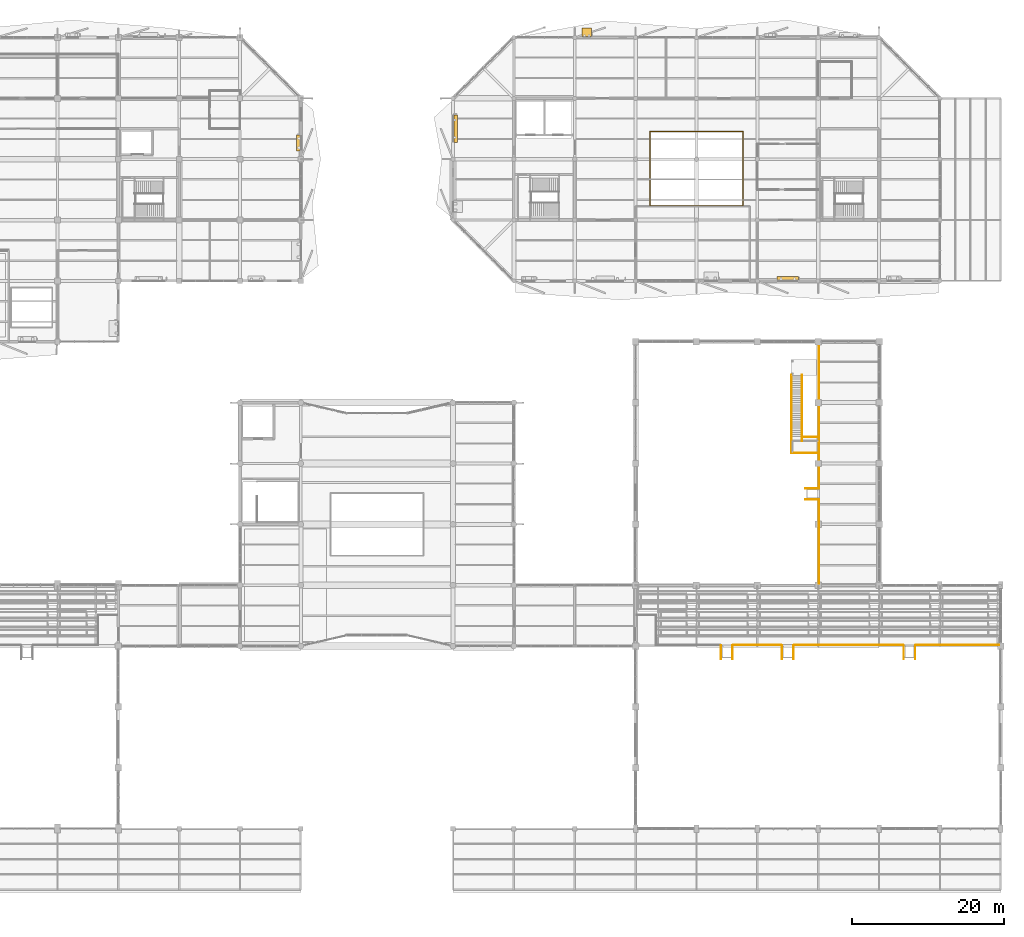
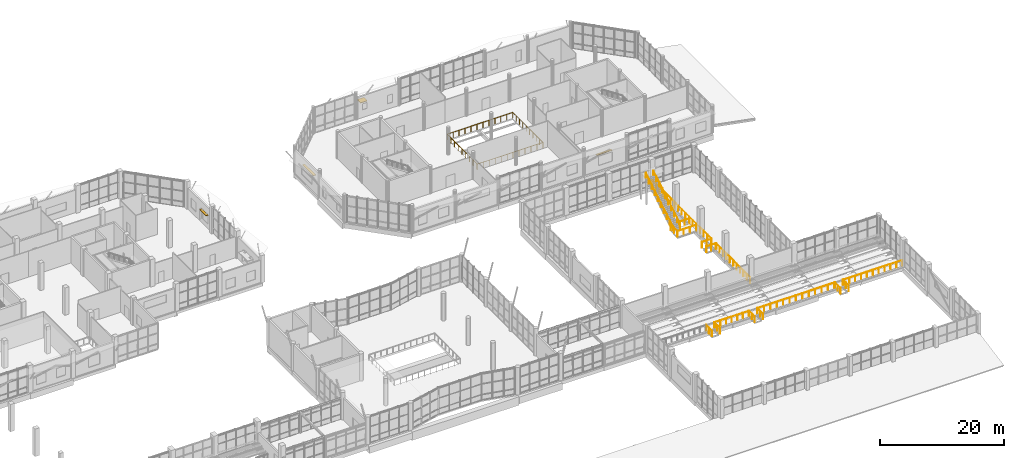
# One storey, part 120 of 122: 18 railings, 4 shading devices, 1 element without a shape of its own.
"""IFC4 building model written with IfcOpenShell, lengths in metres."""

from ifc_helpers import new_model, si_unit, direction, frame, origin, origin_2d, place, context, subcontext, project, spatial, rectangle, circle, extrude, material, layer, layer_set, type_object, element, aggregate, save


model = new_model("IFC4")

# Units and contexts
model_context = context("Model", 3, precision=1e-05, world=origin(), true_north=direction((0.0, 1.0)))
body_context = subcontext(model_context, "Body", "Model", "MODEL_VIEW")
ifc_project = project(units=[si_unit("LENGTHUNIT", "METRE"), si_unit("AREAUNIT", "SQUARE_METRE"), si_unit("VOLUMEUNIT", "CUBIC_METRE"), si_unit("PLANEANGLEUNIT", "RADIAN"), si_unit("MASSUNIT", "GRAM", prefix="KILO")], contexts=[model_context])

# Site, building, storey
site_placement = place(None, origin())
site = spatial("IfcSite", under=ifc_project, at=site_placement, CompositionType="ELEMENT")
building_placement = place(site_placement, origin())
building = spatial("IfcBuilding", under=site, at=building_placement, Name="Tenunan Teduh Sports Hall", CompositionType="ELEMENT")
storey_placement = place(building_placement, frame((0.0, 0.0, 5.39990234375)))
storey = spatial("IfcBuildingStorey", under=building, at=storey_placement, Name="L01", CompositionType="ELEMENT", Elevation=5.39990234375)

# Railings
ifc_material_1 = material(Name="Laminated safety glass and stainless steel", Category="steel")
ifc_layer_1 = layer(ifc_material_1, 0.080078125)
ifc_layer_set_1 = layer_set([ifc_layer_1], Name="Laminated safety glass and stainless steel")
railing_type_1 = type_object("IfcRailingType", Name="RLG-BAL-GLZ", PredefinedType="BALUSTRADE", material=ifc_layer_set_1)
railing_1_placement = place(storey_placement, frame((123.8798828125, 95.9599609375, 0.0)))
element("IfcRailing", 1, at=railing_1_placement, inside=storey, type_object=railing_type_1, Name="RLG-L01-V5E-VOID", PredefinedType="BALUSTRADE", context=body_context, shape_type="SweptSolid", body=[
    extrude(circle(Radius=0.02392578125, at=origin_2d()), frame((0.0, 0.0, 1.09619140625), z_axis=(0.0, -1.0, 0.0), x_axis=(1.0, 0.0, 0.0)), (0.0, 0.0, 1.0), 0.080078125),
    extrude(circle(Radius=0.02392578125, at=origin_2d()), frame((0.0, -0.080078125, 1.09619140625), z_axis=(1.0, 0.0, 0.0), x_axis=(0.0, 1.0, 0.0)), (0.0, 0.0, 1.0), 12.240234375),
    extrude(circle(Radius=0.02392578125, at=origin_2d()), frame((12.240234375, -0.080078125, 1.09619140625), z_axis=(0.0, 1.0, 0.0), x_axis=(-1.0, 0.0, 0.0)), (0.0, 0.0, 1.0), 9.740234375),
    extrude(circle(Radius=0.02392578125, at=origin_2d()), frame((12.240234375, 9.66015625, 1.09619140625), z_axis=(-1.0, 0.0, 0.0), x_axis=(0.0, -1.0, 0.0)), (0.0, 0.0, 1.0), 12.240234375),
    extrude(circle(Radius=0.02392578125, at=origin_2d()), frame((0.0, 9.66015625, 1.09619140625), z_axis=(0.0, -1.0, 0.0), x_axis=(1.0, 0.0, 0.0)), (0.0, 0.0, 1.0), 9.56005859375),
    extrude(circle(Radius=0.02099609375, at=origin_2d()), origin(), (0.0, 0.0, 1.0), 1.072021484375),
    extrude(circle(Radius=0.02099609375, at=origin_2d()), frame((0.0, -0.080078125, 0.0)), (0.0, 0.0, 1.0), 1.072021484375),
    extrude(circle(Radius=0.02099609375, at=origin_2d()), frame((1.11279296875, -0.080078125, 0.0)), (0.0, 0.0, 1.0), 1.072021484375),
    extrude(circle(Radius=0.02099609375, at=origin_2d()), frame((2.2255859375, -0.080078125, 0.0)), (0.0, 0.0, 1.0), 1.072021484375),
    extrude(circle(Radius=0.02099609375, at=origin_2d()), frame((3.338134765625, -0.080078125, 0.0)), (0.0, 0.0, 1.0), 1.072021484375),
    extrude(circle(Radius=0.02099609375, at=origin_2d()), frame((4.450927734375, -0.080078125, 0.0)), (0.0, 0.0, 1.0), 1.072021484375),
    extrude(circle(Radius=0.02099609375, at=origin_2d()), frame((5.563720703125, -0.080078125, 0.0)), (0.0, 0.0, 1.0), 1.072021484375),
    extrude(circle(Radius=0.02099609375, at=origin_2d()), frame((6.676513671875, -0.080078125, 0.0)), (0.0, 0.0, 1.0), 1.072021484375),
    extrude(circle(Radius=0.02099609375, at=origin_2d()), frame((7.789306640625, -0.080078125, 0.0)), (0.0, 0.0, 1.0), 1.072021484375),
    extrude(circle(Radius=0.02099609375, at=origin_2d()), frame((8.902099609375, -0.080078125, 0.0)), (0.0, 0.0, 1.0), 1.072021484375),
    extrude(circle(Radius=0.02099609375, at=origin_2d()), frame((10.0146484375, -0.080078125, 0.0)), (0.0, 0.0, 1.0), 1.072021484375),
    extrude(circle(Radius=0.02099609375, at=origin_2d()), frame((11.12744140625, -0.080078125, 0.0)), (0.0, 0.0, 1.0), 1.072021484375),
    extrude(circle(Radius=0.02099609375, at=origin_2d()), frame((12.240234375, -0.080078125, 0.0)), (0.0, 0.0, 1.0), 1.072021484375),
    extrude(circle(Radius=0.02099609375, at=origin_2d()), frame((12.240234375, 1.002197265625, 0.0)), (0.0, 0.0, 1.0), 1.072021484375),
    extrude(circle(Radius=0.02099609375, at=origin_2d()), frame((12.240234375, 2.08447265625, 0.0)), (0.0, 0.0, 1.0), 1.072021484375),
    extrude(circle(Radius=0.02099609375, at=origin_2d()), frame((12.240234375, 3.166748046875, 0.0)), (0.0, 0.0, 1.0), 1.072021484375),
    extrude(circle(Radius=0.02099609375, at=origin_2d()), frame((12.240234375, 4.2490234375, 0.0)), (0.0, 0.0, 1.0), 1.072021484375),
    extrude(circle(Radius=0.02099609375, at=origin_2d()), frame((12.240234375, 5.3310546875, 0.0)), (0.0, 0.0, 1.0), 1.072021484375),
    extrude(circle(Radius=0.02099609375, at=origin_2d()), frame((12.240234375, 6.413330078125, 0.0)), (0.0, 0.0, 1.0), 1.072021484375),
    extrude(circle(Radius=0.02099609375, at=origin_2d()), frame((12.240234375, 7.49560546875, 0.0)), (0.0, 0.0, 1.0), 1.072021484375),
    extrude(circle(Radius=0.02099609375, at=origin_2d()), frame((12.240234375, 8.577880859375, 0.0)), (0.0, 0.0, 1.0), 1.072021484375),
    extrude(circle(Radius=0.02099609375, at=origin_2d()), frame((12.240234375, 9.66015625, 0.0)), (0.0, 0.0, 1.0), 1.072021484375),
    extrude(circle(Radius=0.02099609375, at=origin_2d()), frame((11.12744140625, 9.66015625, 0.0)), (0.0, 0.0, 1.0), 1.072021484375),
    extrude(circle(Radius=0.02099609375, at=origin_2d()), frame((10.0146484375, 9.66015625, 0.0)), (0.0, 0.0, 1.0), 1.072021484375),
    extrude(circle(Radius=0.02099609375, at=origin_2d()), frame((8.902099609375, 9.66015625, 0.0)), (0.0, 0.0, 1.0), 1.072021484375),
    extrude(circle(Radius=0.02099609375, at=origin_2d()), frame((7.789306640625, 9.66015625, 0.0)), (0.0, 0.0, 1.0), 1.072021484375),
    extrude(circle(Radius=0.02099609375, at=origin_2d()), frame((6.676513671875, 9.66015625, 0.0)), (0.0, 0.0, 1.0), 1.072021484375),
    extrude(circle(Radius=0.02099609375, at=origin_2d()), frame((5.563720703125, 9.66015625, 0.0)), (0.0, 0.0, 1.0), 1.072021484375),
    extrude(circle(Radius=0.02099609375, at=origin_2d()), frame((4.450927734375, 9.66015625, 0.0)), (0.0, 0.0, 1.0), 1.072021484375),
    extrude(circle(Radius=0.02099609375, at=origin_2d()), frame((3.338134765625, 9.66015625, 0.0)), (0.0, 0.0, 1.0), 1.072021484375),
    extrude(circle(Radius=0.02099609375, at=origin_2d()), frame((2.2255859375, 9.66015625, 0.0)), (0.0, 0.0, 1.0), 1.072021484375),
    extrude(circle(Radius=0.02099609375, at=origin_2d()), frame((1.11279296875, 9.66015625, 0.0)), (0.0, 0.0, 1.0), 1.072021484375),
    extrude(circle(Radius=0.02099609375, at=origin_2d()), frame((0.0, 9.66015625, 0.0)), (0.0, 0.0, 1.0), 1.072021484375),
    extrude(circle(Radius=0.02099609375, at=origin_2d()), frame((0.0, 8.465087890625, 0.0)), (0.0, 0.0, 1.0), 1.072021484375),
    extrude(circle(Radius=0.02099609375, at=origin_2d()), frame((0.0, 7.27001953125, 0.0)), (0.0, 0.0, 1.0), 1.072021484375),
    extrude(circle(Radius=0.02099609375, at=origin_2d()), frame((0.0, 6.0751953125, 0.0)), (0.0, 0.0, 1.0), 1.072021484375),
    extrude(circle(Radius=0.02099609375, at=origin_2d()), frame((0.0, 4.880126953125, 0.0)), (0.0, 0.0, 1.0), 1.072021484375),
    extrude(circle(Radius=0.02099609375, at=origin_2d()), frame((0.0, 3.68505859375, 0.0)), (0.0, 0.0, 1.0), 1.072021484375),
    extrude(circle(Radius=0.02099609375, at=origin_2d()), frame((0.0, 2.490234375, 0.0)), (0.0, 0.0, 1.0), 1.072021484375),
    extrude(circle(Radius=0.02099609375, at=origin_2d()), frame((0.0, 1.295166015625, 0.0)), (0.0, 0.0, 1.0), 1.072021484375),
    extrude(circle(Radius=0.02099609375, at=origin_2d()), frame((0.0, 0.10009765625, 0.0)), (0.0, 0.0, 1.0), 1.072021484375),
])
railing_2_placement = place(storey_placement, frame((134.85009765625, 38.1201171875, 0.0)))
element("IfcRailing", 2, at=railing_2_placement, inside=storey, type_object=railing_type_1, Name="RLG-L01-V1-GAL-2", PredefinedType="BALUSTRADE", context=body_context, shape_type="SweptSolid", body=[
    extrude(circle(Radius=0.02392578125, at=origin_2d()), frame((0.0, 0.0, 1.09619140625), z_axis=(1.0, 0.0, 0.0), x_axis=(0.0, 1.0, 0.0)), (0.0, 0.0, 1.0), 6.2998046875),
    extrude(circle(Radius=0.02099609375, at=origin_2d()), origin(), (0.0, 0.0, 1.0), 1.072021484375),
    extrude(circle(Radius=0.02099609375, at=origin_2d()), frame((1.050048828125, 0.0, 0.0)), (0.0, 0.0, 1.0), 1.072021484375),
    extrude(circle(Radius=0.02099609375, at=origin_2d()), frame((2.099853515625, 0.0, 0.0)), (0.0, 0.0, 1.0), 1.072021484375),
    extrude(circle(Radius=0.02099609375, at=origin_2d()), frame((3.14990234375, 0.0, 0.0)), (0.0, 0.0, 1.0), 1.072021484375),
    extrude(circle(Radius=0.02099609375, at=origin_2d()), frame((4.199951171875, 0.0, 0.0)), (0.0, 0.0, 1.0), 1.072021484375),
    extrude(circle(Radius=0.02099609375, at=origin_2d()), frame((5.249755859375, 0.0, 0.0)), (0.0, 0.0, 1.0), 1.072021484375),
    extrude(circle(Radius=0.02099609375, at=origin_2d()), frame((6.2998046875, 0.0, 0.0)), (0.0, 0.0, 1.0), 1.072021484375),
])
railing_3_placement = place(storey_placement, frame((142.85009765625, 38.1201171875, 0.0)))
element("IfcRailing", 3, at=railing_3_placement, inside=storey, type_object=railing_type_1, Name="RLG-L01-V1-GAL-3", PredefinedType="BALUSTRADE", context=body_context, shape_type="SweptSolid", body=[
    extrude(circle(Radius=0.02392578125, at=origin_2d()), frame((0.0, 0.0, 1.09619140625), z_axis=(1.0, 0.0, 0.0), x_axis=(0.0, 1.0, 0.0)), (0.0, 0.0, 1.0), 14.2998046875),
    extrude(circle(Radius=0.02099609375, at=origin_2d()), origin(), (0.0, 0.0, 1.0), 1.072021484375),
    extrude(circle(Radius=0.02099609375, at=origin_2d()), frame((1.191650390625, 0.0, 0.0)), (0.0, 0.0, 1.0), 1.072021484375),
    extrude(circle(Radius=0.02099609375, at=origin_2d()), frame((2.38330078125, 0.0, 0.0)), (0.0, 0.0, 1.0), 1.072021484375),
    extrude(circle(Radius=0.02099609375, at=origin_2d()), frame((3.574951171875, 0.0, 0.0)), (0.0, 0.0, 1.0), 1.072021484375),
    extrude(circle(Radius=0.02099609375, at=origin_2d()), frame((4.7666015625, 0.0, 0.0)), (0.0, 0.0, 1.0), 1.072021484375),
    extrude(circle(Radius=0.02099609375, at=origin_2d()), frame((5.958251953125, 0.0, 0.0)), (0.0, 0.0, 1.0), 1.072021484375),
    extrude(circle(Radius=0.02099609375, at=origin_2d()), frame((7.14990234375, 0.0, 0.0)), (0.0, 0.0, 1.0), 1.072021484375),
    extrude(circle(Radius=0.02099609375, at=origin_2d()), frame((8.341552734375, 0.0, 0.0)), (0.0, 0.0, 1.0), 1.072021484375),
    extrude(circle(Radius=0.02099609375, at=origin_2d()), frame((9.533203125, 0.0, 0.0)), (0.0, 0.0, 1.0), 1.072021484375),
    extrude(circle(Radius=0.02099609375, at=origin_2d()), frame((10.724853515625, 0.0, 0.0)), (0.0, 0.0, 1.0), 1.072021484375),
    extrude(circle(Radius=0.02099609375, at=origin_2d()), frame((11.91650390625, 0.0, 0.0)), (0.0, 0.0, 1.0), 1.072021484375),
    extrude(circle(Radius=0.02099609375, at=origin_2d()), frame((13.108154296875, 0.0, 0.0)), (0.0, 0.0, 1.0), 1.072021484375),
    extrude(circle(Radius=0.02099609375, at=origin_2d()), frame((14.2998046875, 0.0, 0.0)), (0.0, 0.0, 1.0), 1.072021484375),
])
railing_4_placement = place(storey_placement, frame((158.85009765625, 38.1201171875, 0.0)))
element("IfcRailing", 4, at=railing_4_placement, inside=storey, type_object=railing_type_1, Name="RLG-L01-V1-GAL-4", PredefinedType="BALUSTRADE", context=body_context, shape_type="SweptSolid", body=[
    extrude(circle(Radius=0.02392578125, at=origin_2d()), frame((0.0, 0.0, 1.09619140625), z_axis=(1.0, 0.0, 0.0), x_axis=(0.0, 1.0, 0.0)), (0.0, 0.0, 1.0), 10.949951171875),
    extrude(circle(Radius=0.02099609375, at=origin_2d()), origin(), (0.0, 0.0, 1.0), 1.072021484375),
    extrude(circle(Radius=0.02099609375, at=origin_2d()), frame((1.094970703125, 0.0, 0.0)), (0.0, 0.0, 1.0), 1.072021484375),
    extrude(circle(Radius=0.02099609375, at=origin_2d()), frame((2.18994140625, 0.0, 0.0)), (0.0, 0.0, 1.0), 1.072021484375),
    extrude(circle(Radius=0.02099609375, at=origin_2d()), frame((3.284912109375, 0.0, 0.0)), (0.0, 0.0, 1.0), 1.072021484375),
    extrude(circle(Radius=0.02099609375, at=origin_2d()), frame((4.3798828125, 0.0, 0.0)), (0.0, 0.0, 1.0), 1.072021484375),
    extrude(circle(Radius=0.02099609375, at=origin_2d()), frame((5.47509765625, 0.0, 0.0)), (0.0, 0.0, 1.0), 1.072021484375),
    extrude(circle(Radius=0.02099609375, at=origin_2d()), frame((6.570068359375, 0.0, 0.0)), (0.0, 0.0, 1.0), 1.072021484375),
    extrude(circle(Radius=0.02099609375, at=origin_2d()), frame((7.6650390625, 0.0, 0.0)), (0.0, 0.0, 1.0), 1.072021484375),
    extrude(circle(Radius=0.02099609375, at=origin_2d()), frame((8.760009765625, 0.0, 0.0)), (0.0, 0.0, 1.0), 1.072021484375),
    extrude(circle(Radius=0.02099609375, at=origin_2d()), frame((9.85498046875, 0.0, 0.0)), (0.0, 0.0, 1.0), 1.072021484375),
    extrude(circle(Radius=0.02099609375, at=origin_2d()), frame((10.949951171875, 0.0, 0.0)), (0.0, 0.0, 1.0), 1.072021484375),
])
railing_5_placement = place(storey_placement, frame((146.1201171875, 46.199951171875, 0.0)))
element("IfcRailing", 5, at=railing_5_placement, inside=storey, type_object=railing_type_1, Name="RLG-L01-V3-MEZ-1", PredefinedType="BALUSTRADE", context=body_context, shape_type="SweptSolid", body=[
    extrude(circle(Radius=0.02392578125, at=origin_2d()), frame((0.0, 0.0, 1.09619140625), z_axis=(0.0, 1.0, 0.0), x_axis=(-1.0, 0.0, 0.0)), (0.0, 0.0, 1.0), 10.949951171875),
    extrude(circle(Radius=0.02099609375, at=origin_2d()), origin(), (0.0, 0.0, 1.0), 1.072021484375),
    extrude(circle(Radius=0.02099609375, at=origin_2d()), frame((0.0, 1.094970703125, 0.0)), (0.0, 0.0, 1.0), 1.072021484375),
    extrude(circle(Radius=0.02099609375, at=origin_2d()), frame((0.0, 2.18994140625, 0.0)), (0.0, 0.0, 1.0), 1.072021484375),
    extrude(circle(Radius=0.02099609375, at=origin_2d()), frame((0.0, 3.284912109375, 0.0)), (0.0, 0.0, 1.0), 1.072021484375),
    extrude(circle(Radius=0.02099609375, at=origin_2d()), frame((0.0, 4.3798828125, 0.0)), (0.0, 0.0, 1.0), 1.072021484375),
    extrude(circle(Radius=0.02099609375, at=origin_2d()), frame((0.0, 5.47509765625, 0.0)), (0.0, 0.0, 1.0), 1.072021484375),
    extrude(circle(Radius=0.02099609375, at=origin_2d()), frame((0.0, 6.570068359375, 0.0)), (0.0, 0.0, 1.0), 1.072021484375),
    extrude(circle(Radius=0.02099609375, at=origin_2d()), frame((0.0, 7.6650390625, 0.0)), (0.0, 0.0, 1.0), 1.072021484375),
    extrude(circle(Radius=0.02099609375, at=origin_2d()), frame((0.0, 8.760009765625, 0.0)), (0.0, 0.0, 1.0), 1.072021484375),
    extrude(circle(Radius=0.02099609375, at=origin_2d()), frame((0.0, 9.85498046875, 0.0)), (0.0, 0.0, 1.0), 1.072021484375),
    extrude(circle(Radius=0.02099609375, at=origin_2d()), frame((0.0, 10.949951171875, 0.0)), (0.0, 0.0, 1.0), 1.072021484375),
])
railing_6_placement = place(storey_placement, frame((146.1201171875, 58.85009765625, 0.0)))
element("IfcRailing", 6, at=railing_6_placement, inside=storey, type_object=railing_type_1, Name="RLG-L01-V3-MEZ-2", PredefinedType="BALUSTRADE", context=body_context, shape_type="SweptSolid", body=[
    extrude(circle(Radius=0.02392578125, at=origin_2d()), frame((0.0, 0.0, 1.09619140625), z_axis=(0.0, 1.0, 0.0), x_axis=(-1.0, 0.0, 0.0)), (0.0, 0.0, 1.0), 18.949951171875),
    extrude(circle(Radius=0.02099609375, at=origin_2d()), origin(), (0.0, 0.0, 1.0), 1.072021484375),
    extrude(circle(Radius=0.02099609375, at=origin_2d()), frame((0.0, 1.184326171875, 0.0)), (0.0, 0.0, 1.0), 1.072021484375),
    extrude(circle(Radius=0.02099609375, at=origin_2d()), frame((0.0, 2.36865234375, 0.0)), (0.0, 0.0, 1.0), 1.072021484375),
    extrude(circle(Radius=0.02099609375, at=origin_2d()), frame((0.0, 3.55322265625, 0.0)), (0.0, 0.0, 1.0), 1.072021484375),
    extrude(circle(Radius=0.02099609375, at=origin_2d()), frame((0.0, 4.737548828125, 0.0)), (0.0, 0.0, 1.0), 1.072021484375),
    extrude(circle(Radius=0.02099609375, at=origin_2d()), frame((0.0, 5.921875, 0.0)), (0.0, 0.0, 1.0), 1.072021484375),
    extrude(circle(Radius=0.02099609375, at=origin_2d()), frame((0.0, 7.106201171875, 0.0)), (0.0, 0.0, 1.0), 1.072021484375),
    extrude(circle(Radius=0.02099609375, at=origin_2d()), frame((0.0, 8.29052734375, 0.0)), (0.0, 0.0, 1.0), 1.072021484375),
    extrude(circle(Radius=0.02099609375, at=origin_2d()), frame((0.0, 9.47509765625, 0.0)), (0.0, 0.0, 1.0), 1.072021484375),
    extrude(circle(Radius=0.02099609375, at=origin_2d()), frame((0.0, 10.659423828125, 0.0)), (0.0, 0.0, 1.0), 1.072021484375),
    extrude(circle(Radius=0.02099609375, at=origin_2d()), frame((0.0, 11.84375, 0.0)), (0.0, 0.0, 1.0), 1.072021484375),
    extrude(circle(Radius=0.02099609375, at=origin_2d()), frame((0.0, 13.028076171875, 0.0)), (0.0, 0.0, 1.0), 1.072021484375),
    extrude(circle(Radius=0.02099609375, at=origin_2d()), frame((0.0, 14.21240234375, 0.0)), (0.0, 0.0, 1.0), 1.072021484375),
    extrude(circle(Radius=0.02099609375, at=origin_2d()), frame((0.0, 15.396728515625, 0.0)), (0.0, 0.0, 1.0), 1.072021484375),
    extrude(circle(Radius=0.02099609375, at=origin_2d()), frame((0.0, 16.581298828125, 0.0)), (0.0, 0.0, 1.0), 1.072021484375),
    extrude(circle(Radius=0.02099609375, at=origin_2d()), frame((0.0, 17.765625, 0.0)), (0.0, 0.0, 1.0), 1.072021484375),
    extrude(circle(Radius=0.02099609375, at=origin_2d()), frame((0.0, 18.949951171875, 0.0)), (0.0, 0.0, 1.0), 1.072021484375),
])
ifc_material_2 = material(Name="Galvanised and powder-coated steel", Category="steel")
ifc_layer_2 = layer(ifc_material_2, 0.070068359375)
ifc_layer_set_2 = layer_set([ifc_layer_2], Name="Galvanised and powder-coated steel")
railing_type_2 = type_object("IfcRailingType", Name="RLG-EXT-GRD", PredefinedType="GUARDRAIL", material=ifc_layer_set_2)
railing_7_placement = place(storey_placement, frame((145.949951171875, 63.360107421875, 0.0)))
element("IfcRailing", 7, at=railing_7_placement, inside=storey, type_object=railing_type_2, Name="RLG-L01-CL2-START", PredefinedType="GUARDRAIL", context=body_context, shape_type="SweptSolid", body=[
    extrude(circle(Radius=0.02392578125, at=origin_2d()), frame((0.0, 0.0, 1.09619140625), z_axis=(-1.0, 0.0, 0.0), x_axis=(0.0, -1.0, 0.0)), (0.0, 0.0, 1.0), 3.489990234375),
    extrude(circle(Radius=0.02392578125, at=origin_2d()), frame((-3.489990234375, 0.0, 1.09619140625), z_axis=(0.0, 1.0, 0.0), x_axis=(-1.0, 0.0, 0.0)), (0.0, 0.0, 1.0), 2.119873046875),
    extrude(circle(Radius=0.02099609375, at=origin_2d()), origin(), (0.0, 0.0, 1.0), 1.072021484375),
    extrude(circle(Radius=0.02099609375, at=origin_2d()), frame((-1.163330078125, 0.0, 0.0)), (0.0, 0.0, 1.0), 1.072021484375),
    extrude(circle(Radius=0.02099609375, at=origin_2d()), frame((-2.32666015625, 0.0, 0.0)), (0.0, 0.0, 1.0), 1.072021484375),
    extrude(circle(Radius=0.02099609375, at=origin_2d()), frame((-3.489990234375, 0.0, 0.0)), (0.0, 0.0, 1.0), 1.072021484375),
    extrude(circle(Radius=0.02099609375, at=origin_2d()), frame((-3.489990234375, 1.06005859375, 0.0)), (0.0, 0.0, 1.0), 1.072021484375),
    extrude(circle(Radius=0.02099609375, at=origin_2d()), frame((-3.489990234375, 2.119873046875, 0.0)), (0.0, 0.0, 1.0), 1.072021484375),
])
railing_8_placement = place(storey_placement, frame((144.050048828125, 65.47998046875, 0.0)))
element("IfcRailing", 8, at=railing_8_placement, inside=storey, type_object=railing_type_2, Name="RLG-L01-CL2-START-N", PredefinedType="GUARDRAIL", context=body_context, shape_type="SweptSolid", body=[
    extrude(circle(Radius=0.02392578125, at=origin_2d()), frame((0.0, 0.0, 1.09619140625), z_axis=(1.0, 0.0, 0.0), x_axis=(0.0, 1.0, 0.0)), (0.0, 0.0, 1.0), 1.89990234375),
    extrude(circle(Radius=0.02099609375, at=origin_2d()), origin(), (0.0, 0.0, 1.0), 1.072021484375),
    extrude(circle(Radius=0.02099609375, at=origin_2d()), frame((0.949951171875, 0.0, 0.0)), (0.0, 0.0, 1.0), 1.072021484375),
    extrude(circle(Radius=0.02099609375, at=origin_2d()), frame((1.89990234375, 0.0, 0.0)), (0.0, 0.0, 1.0), 1.072021484375),
])
for number, where, name in (
    (9, (133.239990234375, 36.300048828125, 0.0), "RLG-STR-VOM-V1A-GL"),
    (10, (134.760009765625, 36.300048828125, 0.0), "RLG-STR-VOM-V1A-GR"),
    (11, (141.239990234375, 36.300048828125, 0.0), "RLG-STR-VOM-V1M-GL"),
    (12, (142.760009765625, 36.300048828125, 0.0), "RLG-STR-VOM-V1M-GR"),
    (13, (157.239990234375, 36.300048828125, 0.0), "RLG-STR-VOM-V1B-GL"),
    (14, (158.760009765625, 36.300048828125, 0.0), "RLG-STR-VOM-V1B-GR"),
):
    element("IfcRailing", number, at=place(storey_placement, frame(where)), inside=storey, type_object=railing_type_2, Name=name, PredefinedType="GUARDRAIL", context=body_context, shape_type="SweptSolid", body=[
        extrude(circle(Radius=0.02392578125, at=origin_2d()), frame((0.0, 0.0, 1.09619140625), z_axis=(0.0, 1.0, 0.0), x_axis=(-1.0, 0.0, 0.0)), (0.0, 0.0, 1.0), 1.820068359375),
        extrude(circle(Radius=0.02099609375, at=origin_2d()), origin(), (0.0, 0.0, 1.0), 1.072021484375),
        extrude(circle(Radius=0.02099609375, at=origin_2d()), frame((0.0, 0.91015625, 0.0)), (0.0, 0.0, 1.0), 1.072021484375),
        extrude(circle(Radius=0.02099609375, at=origin_2d()), frame((0.0, 1.820068359375, 0.0)), (0.0, 0.0, 1.0), 1.072021484375),
    ])
for number, where, name in (
    (15, (144.320068359375, 57.280029296875, 0.0), "RLG-STR-VOM-CL1-GL"),
    (16, (144.320068359375, 58.719970703125, 0.0), "RLG-STR-VOM-CL1-GR"),
):
    element("IfcRailing", number, at=place(storey_placement, frame(where)), inside=storey, type_object=railing_type_2, Name=name, PredefinedType="GUARDRAIL", context=body_context, shape_type="SweptSolid", body=[
        extrude(circle(Radius=0.02392578125, at=origin_2d()), frame((0.0, 0.0, 1.09619140625), z_axis=(1.0, 0.0, 0.0), x_axis=(0.0, 1.0, 0.0)), (0.0, 0.0, 1.0), 1.800048828125),
        extrude(circle(Radius=0.02099609375, at=origin_2d()), origin(), (0.0, 0.0, 1.0), 1.072021484375),
        extrude(circle(Radius=0.02099609375, at=origin_2d()), frame((0.89990234375, 0.0, 0.0)), (0.0, 0.0, 1.0), 1.072021484375),
        extrude(circle(Radius=0.02099609375, at=origin_2d()), frame((1.800048828125, 0.0, 0.0)), (0.0, 0.0, 1.0), 1.072021484375),
    ])

# Stair, railings
ifc_material_3 = material(Name="Precast concrete C40/50", Category="concrete")
stair_type = type_object("IfcStairType", Name="STR-CLM-GAL", PredefinedType="STRAIGHT_RUN_STAIR", material=ifc_material_3)
stair_placement = place(storey_placement, origin())
stair = element("IfcStair", 17, at=stair_placement, inside=storey, type_object=stair_type, Name="STR-VOM-CL2", PredefinedType="STRAIGHT_RUN_STAIR")
ifc_material_4 = material(Name="Brushed stainless steel", Category="steel")
ifc_layer_3 = layer(ifc_material_4, 0.050048828125)
ifc_layer_set_3 = layer_set([ifc_layer_3], Name="Brushed stainless steel")
railing_type_3 = type_object("IfcRailingType", Name="RLG-STAIR-HR", PredefinedType="HANDRAIL", material=ifc_layer_set_3)
railing_9_placement = place(storey_placement, frame((143.889892578125, 64.9599609375, 0.1689453125)))
railing_9 = element("IfcRailing", 18, at=railing_9_placement, type_object=railing_type_3, Name="STR-VOM-CL2-HR1", PredefinedType="HANDRAIL", context=body_context, shape_type="SweptSolid", body=[
    extrude(circle(Radius=0.02392578125, at=origin_2d()), frame((0.0, 0.0, 0.89599609375), z_axis=(0.0, 0.856479478481, 0.516181075729), x_axis=(-1.0, 0.0, 0.0)), (0.0, 0.0, 1.0), 10.134521484375),
    extrude(circle(Radius=0.02099609375, at=origin_2d()), origin(), (0.0, 0.0, 1.0), 0.871826171875),
    extrude(circle(Radius=0.02099609375, at=origin_2d()), frame((0.0, 0.96435546875, 0.581298828125)), (0.0, 0.0, 1.0), 0.871826171875),
    extrude(circle(Radius=0.02099609375, at=origin_2d()), frame((0.0, 1.928955078125, 1.16259765625)), (0.0, 0.0, 1.0), 0.871826171875),
    extrude(circle(Radius=0.02099609375, at=origin_2d()), frame((0.0, 2.893310546875, 1.74365234375)), (0.0, 0.0, 1.0), 0.871826171875),
    extrude(circle(Radius=0.02099609375, at=origin_2d()), frame((0.0, 3.857666015625, 2.324951171875)), (0.0, 0.0, 1.0), 0.871826171875),
    extrude(circle(Radius=0.02099609375, at=origin_2d()), frame((0.0, 4.822265625, 2.90625)), (0.0, 0.0, 1.0), 0.871826171875),
    extrude(circle(Radius=0.02099609375, at=origin_2d()), frame((0.0, 5.78662109375, 3.487548828125)), (0.0, 0.0, 1.0), 0.871826171875),
    extrude(circle(Radius=0.02099609375, at=origin_2d()), frame((0.0, 6.7509765625, 4.068603515625)), (0.0, 0.0, 1.0), 0.871826171875),
    extrude(circle(Radius=0.02099609375, at=origin_2d()), frame((0.0, 7.715576171875, 4.64990234375)), (0.0, 0.0, 1.0), 0.871826171875),
    extrude(circle(Radius=0.02099609375, at=origin_2d()), frame((0.0, 8.679931640625, 5.231201171875)), (0.0, 0.0, 1.0), 0.871826171875),
])
railing_10_placement = place(storey_placement, frame((142.510009765625, 64.9599609375, 0.1689453125)))
railing_10 = element("IfcRailing", 19, at=railing_10_placement, type_object=railing_type_3, Name="STR-VOM-CL2-HR2", PredefinedType="HANDRAIL", context=body_context, shape_type="SweptSolid", body=[
    extrude(circle(Radius=0.02392578125, at=origin_2d()), frame((0.0, 0.0, 0.89599609375), z_axis=(0.0, 0.856479478481, 0.516181075729), x_axis=(-1.0, 0.0, 0.0)), (0.0, 0.0, 1.0), 10.134521484375),
    extrude(circle(Radius=0.02099609375, at=origin_2d()), origin(), (0.0, 0.0, 1.0), 0.871826171875),
    extrude(circle(Radius=0.02099609375, at=origin_2d()), frame((0.0, 0.96435546875, 0.581298828125)), (0.0, 0.0, 1.0), 0.871826171875),
    extrude(circle(Radius=0.02099609375, at=origin_2d()), frame((0.0, 1.928955078125, 1.16259765625)), (0.0, 0.0, 1.0), 0.871826171875),
    extrude(circle(Radius=0.02099609375, at=origin_2d()), frame((0.0, 2.893310546875, 1.74365234375)), (0.0, 0.0, 1.0), 0.871826171875),
    extrude(circle(Radius=0.02099609375, at=origin_2d()), frame((0.0, 3.857666015625, 2.324951171875)), (0.0, 0.0, 1.0), 0.871826171875),
    extrude(circle(Radius=0.02099609375, at=origin_2d()), frame((0.0, 4.822265625, 2.90625)), (0.0, 0.0, 1.0), 0.871826171875),
    extrude(circle(Radius=0.02099609375, at=origin_2d()), frame((0.0, 5.78662109375, 3.487548828125)), (0.0, 0.0, 1.0), 0.871826171875),
    extrude(circle(Radius=0.02099609375, at=origin_2d()), frame((0.0, 6.7509765625, 4.068603515625)), (0.0, 0.0, 1.0), 0.871826171875),
    extrude(circle(Radius=0.02099609375, at=origin_2d()), frame((0.0, 7.715576171875, 4.64990234375)), (0.0, 0.0, 1.0), 0.871826171875),
    extrude(circle(Radius=0.02099609375, at=origin_2d()), frame((0.0, 8.679931640625, 5.231201171875)), (0.0, 0.0, 1.0), 0.871826171875),
])
aggregate(stair, [railing_9, railing_10])

# Shading devices
ifc_material_5 = material(Name="Perforated anodised aluminium", Category="aluminium")
shading_device_type_1 = type_object("IfcShadingDeviceType", Name="SHD-LOUVRE-1", PredefinedType="AWNING", material=ifc_material_5)
shading_device_1_placement = place(storey_placement, frame((77.655029296875, 104.125, 2.719970703125), z_axis=(0.0, 0.0, 1.0), x_axis=(0.0, 1.0, 0.0)))
element("IfcShadingDevice", 20, at=shading_device_1_placement, inside=storey, type_object=shading_device_type_1, Name="SHD-L01-030", PredefinedType="AWNING", context=body_context, shape_type="SweptSolid", body=[
    extrude(rectangle(XDim=2.10009765625, YDim=0.449951171875, at=origin_2d()), origin(), (0.0, 0.0, 1.0), 0.080078125),
])
shading_device_2_placement = place(storey_placement, frame((142.0, 86.340087890625, 2.820068359375), z_axis=(0.0, 0.0, 1.0), x_axis=(1.0, 0.0, 0.0)))
element("IfcShadingDevice", 21, at=shading_device_2_placement, inside=storey, type_object=shading_device_type_1, Name="SHD-L01-084", PredefinedType="AWNING", context=body_context, shape_type="SweptSolid", body=[
    extrude(rectangle(XDim=2.85009765625, YDim=0.449951171875, at=origin_2d()), origin(), (0.0, 0.0, 1.0), 0.080078125),
])
shading_device_3_placement = place(storey_placement, frame((98.340087890625, 105.9951171875, 2.719970703125), z_axis=(0.0, 0.0, 1.0), x_axis=(0.0, 1.0, 0.0)))
element("IfcShadingDevice", 22, at=shading_device_3_placement, inside=storey, type_object=shading_device_type_1, Name="SHD-L01-090", PredefinedType="AWNING", context=body_context, shape_type="SweptSolid", body=[
    extrude(rectangle(XDim=3.60009765625, YDim=0.449951171875, at=origin_2d()), origin(), (0.0, 0.0, 1.0), 0.080078125),
])
ifc_material_6 = material(Name="Perforated anodised aluminium", Category="aluminium")
shading_device_type_2 = type_object("IfcShadingDeviceType", Name="SHD-SUNSHADE-1", PredefinedType="JALOUSIE", material=ifc_material_6)
shading_device_4_placement = place(storey_placement, frame((115.574951171875, 118.669921875, 2.699951171875), z_axis=(0.0, 0.0, 1.0), x_axis=(1.0, 0.0, 0.0)))
element("IfcShadingDevice", 23, at=shading_device_4_placement, inside=storey, type_object=shading_device_type_2, Name="SHD-L01-086", PredefinedType="JALOUSIE", context=body_context, shape_type="SweptSolid", body=[
    extrude(rectangle(XDim=1.199951171875, YDim=1.10009765625, at=origin_2d()), origin(), (0.0, 0.0, 1.0), 0.1201171875),
])

save(model, "model.ifc")
